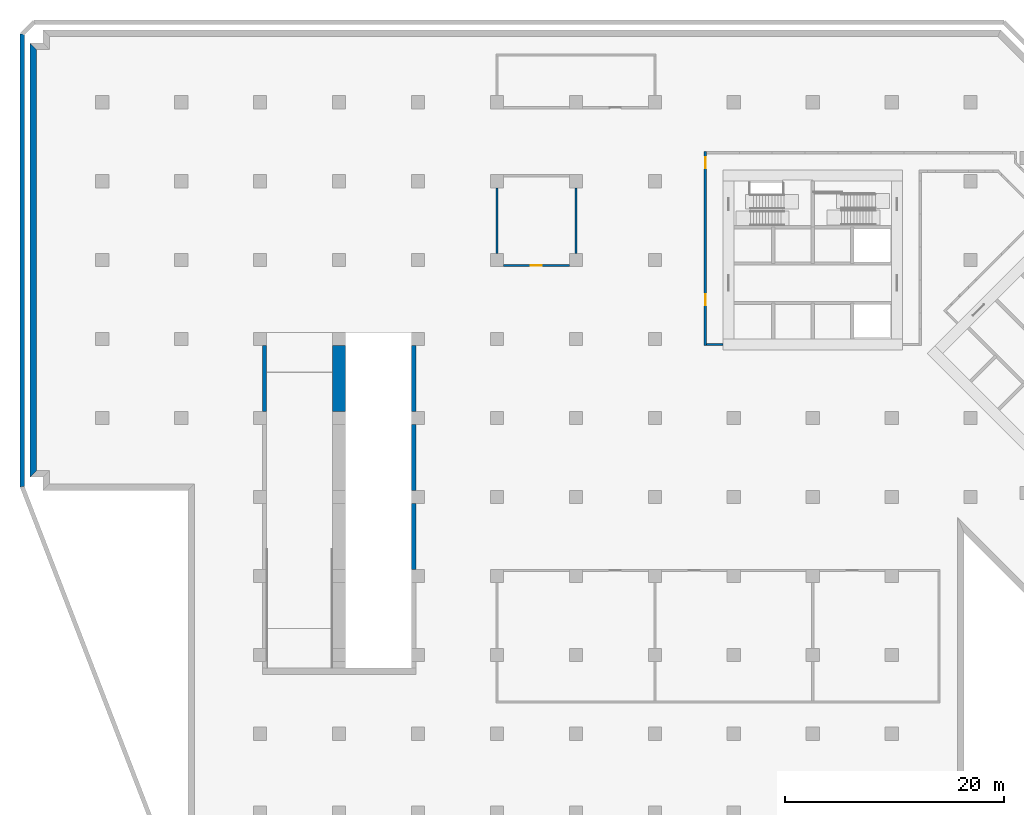
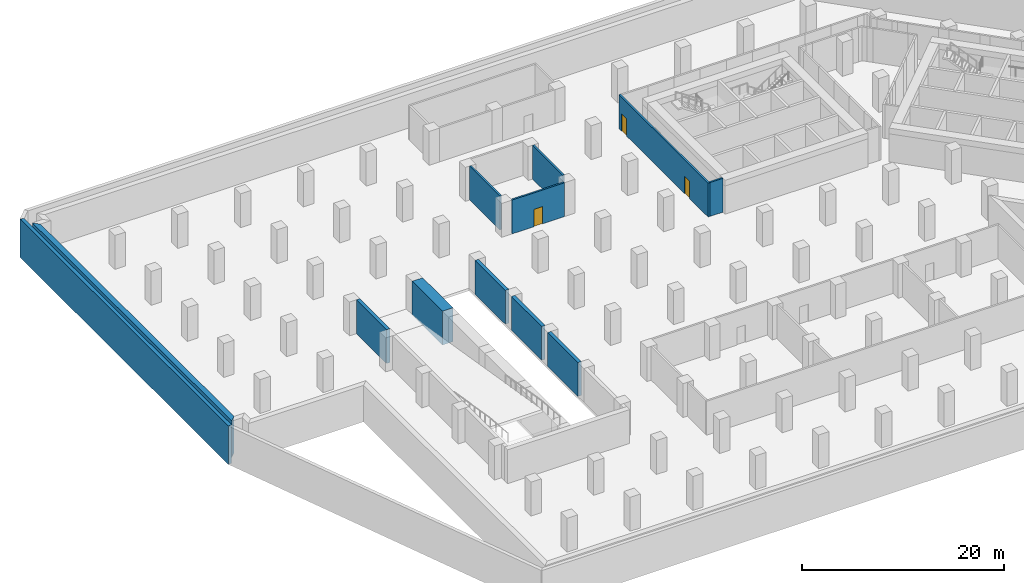
# One storey, part 3 of 11: 12 walls, 3 doors, 3 openings.
"""IFC4 building model written with IfcOpenShell, lengths in metres."""

from ifc_helpers import new_model, si_unit, direction, frame, frame_2d, origin, place, context, subcontext, project, spatial, polyline, rectangle, outline, extrude, material, layer, layer_set, type_object, element, fill, save


model = new_model("IFC4")

# Units and contexts
model_context = context("Model", 3, precision=1e-05, world=origin(), true_north=direction((0.0, 1.0)))
body_context = subcontext(model_context, "Body", "Model", "MODEL_VIEW")
ifc_project = project(units=[si_unit("LENGTHUNIT", "METRE"), si_unit("AREAUNIT", "SQUARE_METRE"), si_unit("VOLUMEUNIT", "CUBIC_METRE"), si_unit("PLANEANGLEUNIT", "RADIAN"), si_unit("MASSUNIT", "GRAM", prefix="KILO")], contexts=[model_context])

# Site, building, storey
site_placement = place(None, origin())
site = spatial("IfcSite", under=ifc_project, at=site_placement, CompositionType="ELEMENT")
building_placement = place(site_placement, origin())
building = spatial("IfcBuilding", under=site, at=building_placement, Name="Windrow Commons", CompositionType="ELEMENT")
storey_placement = place(building_placement, frame((0.0, 0.0, -4.5)))
storey = spatial("IfcBuildingStorey", under=building, at=storey_placement, Name="B1", CompositionType="ELEMENT", Elevation=-4.5)

# Wall, openings, doors
ifc_material_1 = material(Name="Blockwork partition", Category="masonry")
ifc_layer_1 = layer(ifc_material_1, 0.2)
ifc_layer_set_1 = layer_set([ifc_layer_1], Name="CP-PART-200")
wall_type_1 = type_object("IfcWallType", Name="CP-PART-200", PredefinedType="PARTITIONING", material=ifc_layer_set_1)
wall_1_placement = place(storey_placement, frame((55.0, 49.8, 0.0), z_axis=(0.0, 0.0, 1.0), x_axis=(0.0, 1.0, 0.0)))
wall_1 = element("IfcWall", 1, at=wall_1_placement, inside=storey, type_object=wall_type_1, Name="Escape corridor west wall", PredefinedType="PARTITIONING", context=body_context, shape_type="SweptSolid", body=[
    extrude(rectangle(XDim=17.7, YDim=0.2, at=frame_2d((8.85, 0.0))), origin(), (0.0, 0.0, 1.0), 4.1),
])
opening_1_placement = place(wall_1_placement, frame((16.2, 0.0, 0.0)))
opening_1 = element("IfcOpeningElement", 2, at=opening_1_placement, cuts=wall_1, Name="Opening B1-D90", PredefinedType="OPENING", context=body_context, shape_type="SweptSolid", body=[
    extrude(rectangle(XDim=1.0, YDim=2.1, at=frame_2d((0.5, 1.05))), frame((0.0, 0.11, 0.0), z_axis=(0.0, -1.0, 0.0), x_axis=(1.0, 0.0, 0.0)), (0.0, 0.0, 1.0), 0.22),
])
opening_2_placement = place(wall_1_placement, frame((3.7, 0.0, 0.0)))
opening_2 = element("IfcOpeningElement", 3, at=opening_2_placement, cuts=wall_1, Name="Opening B1-D91", PredefinedType="OPENING", context=body_context, shape_type="SweptSolid", body=[
    extrude(rectangle(XDim=1.0, YDim=2.1, at=frame_2d((0.5, 1.05))), frame((0.0, 0.11, 0.0), z_axis=(0.0, -1.0, 0.0), x_axis=(1.0, 0.0, 0.0)), (0.0, 0.0, 1.0), 0.22),
])
ifc_material_2 = material(Name="Steel fire door leaf", Category="steel")
door_type = type_object("IfcDoorType", Name="CP-DOOR-1000", OperationType="SINGLE_SWING_LEFT", PredefinedType="DOOR", material=ifc_material_2)
door_1_placement = place(opening_1_placement, origin())
door_1 = element("IfcDoor", 4, at=door_1_placement, inside=storey, type_object=door_type, Name="D-B1-ESC-WEST", OperationType="SINGLE_SWING_LEFT", OverallHeight=2.1, OverallWidth=1.0, PredefinedType="DOOR", context=body_context, shape_type="SweptSolid", body=[
    extrude(rectangle(XDim=1.0, YDim=2.1, at=frame_2d((0.5, 1.05))), frame((0.0, 0.025, 0.0), z_axis=(0.0, -1.0, 0.0), x_axis=(1.0, 0.0, 0.0)), (0.0, 0.0, 1.0), 0.05),
])
fill(opening_1, door_1)
door_2_placement = place(opening_2_placement, origin())
door_2 = element("IfcDoor", 5, at=door_2_placement, inside=storey, type_object=door_type, Name="D-B1-ESC-WEST2", OperationType="SINGLE_SWING_RIGHT", OverallHeight=2.1, OverallWidth=1.0, PredefinedType="DOOR", context=body_context, shape_type="SweptSolid", body=[
    extrude(rectangle(XDim=1.0, YDim=2.1, at=frame_2d((0.5, 1.05))), frame((0.0, 0.025, 0.0), z_axis=(0.0, -1.0, 0.0), x_axis=(1.0, 0.0, 0.0)), (0.0, 0.0, 1.0), 0.05),
])
fill(opening_2, door_2)

# Walls
wall_2_placement = place(storey_placement, frame((55.1, 49.9, 0.0), z_axis=(0.0, 0.0, 1.0), x_axis=(1.0, 0.0, 0.0)))
element("IfcWall", 6, at=wall_2_placement, inside=storey, type_object=wall_type_1, Name="Escape corridor south wall", PredefinedType="PARTITIONING", context=body_context, shape_type="SweptSolid", body=[
    extrude(rectangle(XDim=1.5, YDim=0.2, at=frame_2d((0.75, 0.0))), origin(), (0.0, 0.0, 1.0), 4.1),
])
for number, where, z_axis, x_axis, name in (
    (7, (36.0, 58.2, 0.0), (0.0, 0.0, 1.0), (0.0, 1.0, 0.0), "Plant room wall 03"),
    (8, (43.2, 58.2, 0.0), (0.0, 0.0, 1.0), (0.0, 1.0, 0.0), "Plant room wall 05"),
):
    element("IfcWall", number, at=place(storey_placement, frame(where, z_axis=z_axis, x_axis=x_axis)), inside=storey, type_object=wall_type_1, Name=name, PredefinedType="PARTITIONING", context=body_context, shape_type="SweptSolid", body=[
        extrude(rectangle(XDim=6.0, YDim=0.2, at=frame_2d((3.0, 0.0))), origin(), (0.0, 0.0, 1.0), 4.1),
    ])

# Wall, opening, door
wall_3_placement = place(storey_placement, frame((36.6, 57.1, 0.0), z_axis=(0.0, 0.0, 1.0), x_axis=(1.0, 0.0, 0.0)))
wall_3 = element("IfcWall", 9, at=wall_3_placement, inside=storey, type_object=wall_type_1, Name="Plant room wall 19", PredefinedType="PARTITIONING", context=body_context, shape_type="SweptSolid", body=[
    extrude(rectangle(XDim=6.0, YDim=0.2, at=frame_2d((3.0, 0.0))), origin(), (0.0, 0.0, 1.0), 4.1),
])
opening_3_placement = place(wall_3_placement, frame((2.5, 0.0, 0.0)))
opening_3 = element("IfcOpeningElement", 10, at=opening_3_placement, cuts=wall_3, Name="Opening B1-D54", PredefinedType="OPENING", context=body_context, shape_type="SweptSolid", body=[
    extrude(rectangle(XDim=1.0, YDim=2.1, at=frame_2d((0.5, 1.05))), frame((0.0, 0.11, 0.0), z_axis=(0.0, -1.0, 0.0), x_axis=(1.0, 0.0, 0.0)), (0.0, 0.0, 1.0), 0.22),
])
door_3_placement = place(opening_3_placement, origin())
door_3 = element("IfcDoor", 11, at=door_3_placement, inside=storey, type_object=door_type, Name="D-B1-PLANT-04", OperationType="SINGLE_SWING_LEFT", OverallHeight=2.1, OverallWidth=1.0, PredefinedType="DOOR", context=body_context, shape_type="SweptSolid", body=[
    extrude(rectangle(XDim=1.0, YDim=2.1, at=frame_2d((0.5, 1.05))), frame((0.0, 0.025, 0.0), z_axis=(0.0, -1.0, 0.0), x_axis=(1.0, 0.0, 0.0)), (0.0, 0.0, 1.0), 0.05),
])
fill(opening_3, door_3)

# Walls
ifc_material_3 = material(Name="Concrete C40/50", Category="concrete")
ifc_layer_2 = layer(ifc_material_3, 1.2)
ifc_layer_set_2 = layer_set([ifc_layer_2], Name="CP-WALL-1200")
wall_type_2 = type_object("IfcWallType", Name="CP-WALL-1200", PredefinedType="SOLIDWALL", material=ifc_layer_set_2)
wall_4_placement = place(storey_placement, frame((21.6, 43.8, 0.0), z_axis=(0.0, 0.0, 1.0), x_axis=(0.0, 1.0, 0.0)))
element("IfcWall", 12, at=wall_4_placement, inside=storey, type_object=wall_type_2, Name="Ramp wall D5 B1", PredefinedType="SOLIDWALL", context=body_context, shape_type="SweptSolid", body=[
    extrude(rectangle(XDim=6.0, YDim=1.2, at=frame_2d((3.0, 0.0))), origin(), (0.0, 0.0, 1.0), 4.1),
])
ifc_material_4 = material(Name="Concrete C40/50", Category="concrete")
ifc_layer_3 = layer(ifc_material_4, 0.4)
ifc_layer_set_3 = layer_set([ifc_layer_3], Name="CP-WALL-400")
wall_type_3 = type_object("IfcWallType", Name="CP-WALL-400", PredefinedType="SOLIDWALL", material=ifc_layer_set_3)
for number, where, z_axis, x_axis, name in (
    (13, (14.8, 43.8, 0.0), (0.0, 0.0, 1.0), (0.0, 1.0, 0.0), "Ramp wall W5 B1"),
    (14, (28.4, 29.4, 0.0), (0.0, 0.0, 1.0), (0.0, 1.0, 0.0), "Ramp wall E3 B1"),
    (15, (28.4, 36.6, 0.0), (0.0, 0.0, 1.0), (0.0, 1.0, 0.0), "Ramp wall E4 B1"),
    (16, (28.4, 43.8, 0.0), (0.0, 0.0, 1.0), (0.0, 1.0, 0.0), "Ramp wall E5 B1"),
):
    element("IfcWall", number, at=place(storey_placement, frame(where, z_axis=z_axis, x_axis=x_axis)), inside=storey, type_object=wall_type_3, Name=name, PredefinedType="SOLIDWALL", context=body_context, shape_type="SweptSolid", body=[
        extrude(rectangle(XDim=6.0, YDim=0.4, at=frame_2d((3.0, 0.0))), origin(), (0.0, 0.0, 1.0), 4.1),
    ])
ifc_material_5 = material(Name="Concrete C40/50", Category="concrete")
ifc_layer_4 = layer(ifc_material_5, 0.4)
ifc_layer_set_4 = layer_set([ifc_layer_4], Name="RC RETAINING WALL 400 C40/50")
wall_type_4 = type_object("IfcWallType", Name="RC RETAINING WALL 400 C40/50", PredefinedType="SOLIDWALL", material=ifc_layer_set_4)
wall_5_placement = place(storey_placement, frame((-7.3, 36.9374, -0.3), z_axis=(0.0, 0.0, 1.0), x_axis=(0.0, 1.0, 0.0)))
element("IfcWall", 17, at=wall_5_placement, inside=storey, type_object=wall_type_4, Name="Retaining wall raft edge B1-012", PredefinedType="SOLIDWALL", context=body_context, shape_type="SweptSolid", body=[
    extrude(outline(polyline([(0.0187, -0.2), (41.2384, -0.2), (41.3212, 0.2), (-0.0187, 0.2), (0.0187, -0.2)])), origin(), (0.0, 0.0, 1.0), 4.65),
])
ifc_material_6 = material(Name="Concrete C40/50", Category="concrete")
ifc_layer_5 = layer(ifc_material_6, 0.6)
ifc_layer_set_5 = layer_set([ifc_layer_5], Name="RC RETAINING WALL 600 C40/50")
wall_type_5 = type_object("IfcWallType", Name="RC RETAINING WALL 600 C40/50", PredefinedType="SOLIDWALL", material=ifc_layer_set_5)
wall_6_placement = place(storey_placement, frame((0.0, 0.0, -0.3)))
element("IfcWall", 18, at=wall_6_placement, inside=storey, type_object=wall_type_5, Name="Retaining wall B1-13", PredefinedType="SOLIDWALL", context=body_context, shape_type="SweptSolid", body=[
    extrude(outline(polyline([(-6.0, 76.8), (-6.0, 38.4), (-6.6, 37.8), (-6.6, 77.4), (-6.0, 76.8)])), origin(), (0.0, 0.0, 1.0), 4.4),
])

save(model, "model.ifc")
